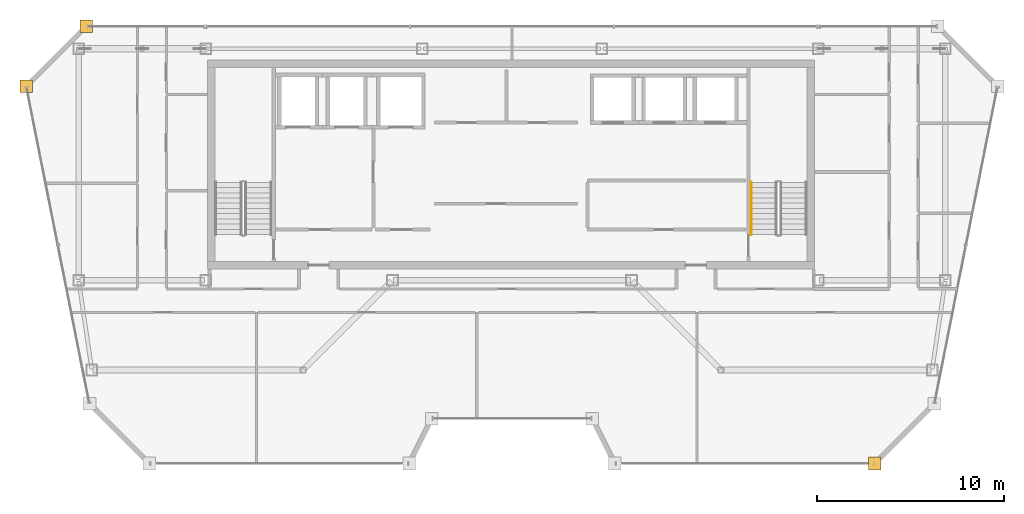
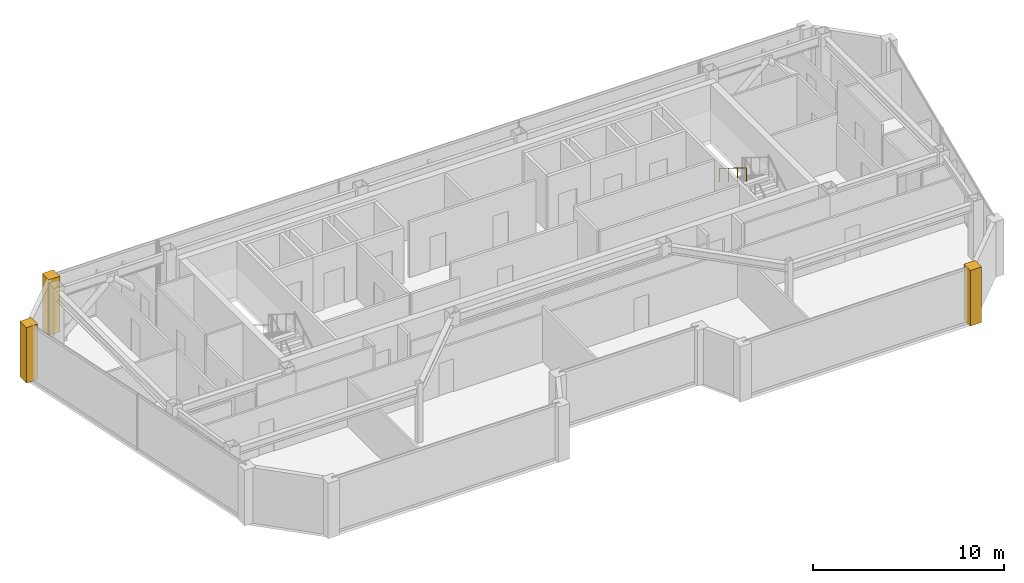
# One storey, part 22 of 23: 3 coverings, 1 railing.
"""IFC4 building model written with IfcOpenShell, lengths in metres."""

from ifc_helpers import new_model, si_unit, direction, frame, origin, origin_2d, place, context, subcontext, project, spatial, polyline, circle, outline, extrude, material, layer, layer_set, type_object, element, save


model = new_model("IFC4")

# Units and contexts
model_context = context("Model", 3, precision=1e-05, world=origin(), true_north=direction((0.0, 1.0)))
body_context = subcontext(model_context, "Body", "Model", "MODEL_VIEW")
ifc_project = project(units=[si_unit("LENGTHUNIT", "METRE"), si_unit("AREAUNIT", "SQUARE_METRE"), si_unit("VOLUMEUNIT", "CUBIC_METRE"), si_unit("PLANEANGLEUNIT", "RADIAN"), si_unit("MASSUNIT", "GRAM", prefix="KILO")], contexts=[model_context])

# Site, building, storey
site_placement = place(None, origin())
site = spatial("IfcSite", under=ifc_project, at=site_placement, CompositionType="ELEMENT")
building_placement = place(site_placement, origin())
building = spatial("IfcBuilding", under=site, at=building_placement, Name="Saevonmaru Cultural Tower", CompositionType="ELEMENT")
storey_placement = place(building_placement, frame((0.0, 0.0, 302.800048828125)))
storey = spatial("IfcBuildingStorey", under=building, at=storey_placement, Name="L72", CompositionType="ELEMENT", Elevation=302.800048828125)

# Coverings
ifc_material = material(Name="Satin Bronze Anodised Aluminium", Category="aluminium")
ifc_layer = layer(ifc_material, 0.679931640625, Name="Satin Bronze Anodised Aluminium")
ifc_layer_set = layer_set([ifc_layer], Name="Satin Bronze Anodised Aluminium")
covering_type = type_object("IfcCoveringType", Name="CV-CORNER-CLAD", PredefinedType="CLADDING", material=ifc_layer_set)
covering_1_placement = place(storey_placement, origin())
element("IfcCovering", 1, at=covering_1_placement, inside=storey, type_object=covering_type, Name="L72 Tower Bronze Corner Cladding Pier 7", PredefinedType="CLADDING", context=body_context, shape_type="SweptSolid", body=[
    extrude(outline(polyline([(49.080078125, 32.260009765625), (49.760009765625, 32.260009765625), (49.760009765625, 32.93994140625), (49.080078125, 32.93994140625), (49.080078125, 32.260009765625)])), origin(), (0.0, 0.0, 1.0), 3.550048828125),
])
covering_2_placement = place(storey_placement, origin())
element("IfcCovering", 2, at=covering_2_placement, inside=storey, type_object=covering_type, Name="L72 Tower Bronze Corner Cladding Pier 11", PredefinedType="CLADDING", context=body_context, shape_type="SweptSolid", body=[
    extrude(outline(polyline([(6.860107421875, 55.659912109375), (7.5400390625, 55.659912109375), (7.5400390625, 56.340087890625), (6.860107421875, 56.340087890625), (6.860107421875, 55.659912109375)])), origin(), (0.0, 0.0, 1.0), 3.550048828125),
])
covering_3_placement = place(storey_placement, origin())
element("IfcCovering", 3, at=covering_3_placement, inside=storey, type_object=covering_type, Name="L72 Tower Bronze Corner Cladding Pier 12", PredefinedType="CLADDING", context=body_context, shape_type="SweptSolid", body=[
    extrude(outline(polyline([(3.659912109375, 52.4599609375), (4.340087890625, 52.4599609375), (4.340087890625, 53.139892578125), (3.659912109375, 53.139892578125), (3.659912109375, 52.4599609375)])), origin(), (0.0, 0.0, 1.0), 3.550048828125),
])

# Railing
railing_type = type_object("IfcRailingType", Name="RL-STAIR-HANDRAIL", PredefinedType="HANDRAIL", material=ifc_material)
railing_placement = place(storey_placement, frame((42.800048828125, 47.64990234375, 2.07275390625)))
element("IfcRailing", 4, at=railing_placement, inside=storey, type_object=railing_type, Name="L72 ST-2 stair handrail 2", PredefinedType="HANDRAIL", context=body_context, shape_type="SweptSolid", body=[
    extrude(circle(Radius=0.02392578125, at=origin_2d()), frame((0.0, 0.0, 0.8759765625), z_axis=(0.0, -0.851069175582, 0.525053576669), x_axis=(1.0, 0.0, 0.0)), (0.0, 0.0, 1.0), 3.289794921875),
    extrude(circle(Radius=0.02099609375, at=origin_2d()), origin(), (0.0, 0.0, 1.0), 0.851806640625),
    extrude(circle(Radius=0.02099609375, at=origin_2d()), frame((0.0, -0.933349609375, 0.57568359375)), (0.0, 0.0, 1.0), 0.851806640625),
    extrude(circle(Radius=0.02099609375, at=origin_2d()), frame((0.0, -1.866455078125, 1.151611328125)), (0.0, 0.0, 1.0), 0.851806640625),
    extrude(circle(Radius=0.02099609375, at=origin_2d()), frame((0.0, -2.7998046875, 1.727294921875)), (0.0, 0.0, 1.0), 0.851806640625),
])

save(model, "model.ifc")
